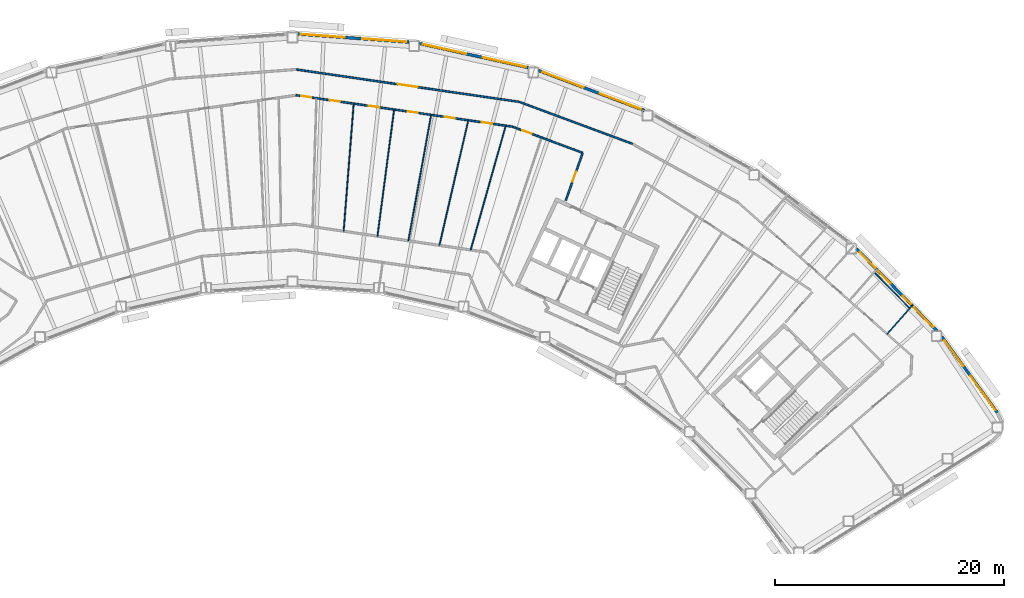
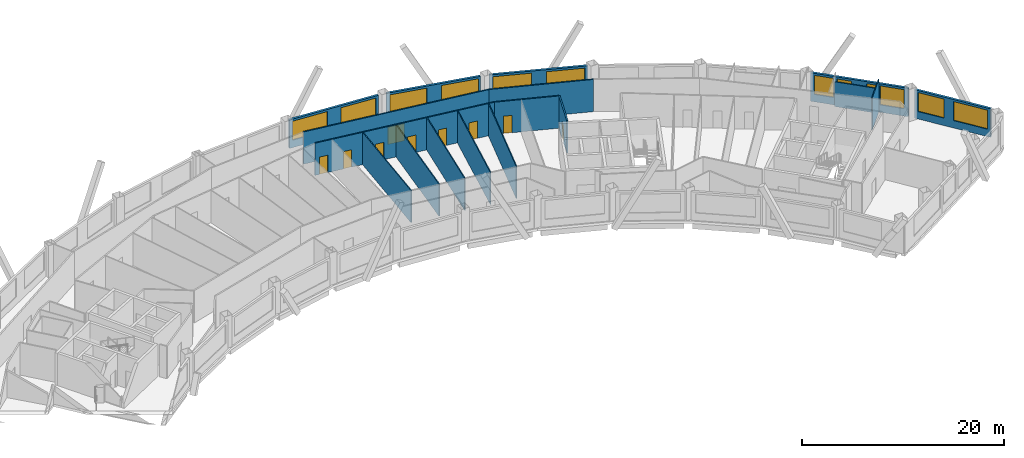
# One storey, part 11 of 14: 17 walls, 12 windows, 9 doors, 21 openings.
"""IFC4 building model written with IfcOpenShell, lengths in metres."""

from ifc_helpers import new_model, si_unit, direction, frame, frame_2d, origin, place, context, subcontext, project, spatial, rectangle, extrude, material, layer, layer_set, type_object, element, fill, save


model = new_model("IFC4")

# Units and contexts
model_context = context("Model", 3, precision=1e-05, world=origin(), true_north=direction((0.0, 1.0)))
body_context = subcontext(model_context, "Body", "Model", "MODEL_VIEW")
ifc_project = project(units=[si_unit("LENGTHUNIT", "METRE"), si_unit("AREAUNIT", "SQUARE_METRE"), si_unit("VOLUMEUNIT", "CUBIC_METRE"), si_unit("PLANEANGLEUNIT", "RADIAN"), si_unit("MASSUNIT", "GRAM", prefix="KILO")], contexts=[model_context])

# Site, building, storey
site_placement = place(None, origin())
site = spatial("IfcSite", under=ifc_project, at=site_placement, CompositionType="ELEMENT")
building_placement = place(site_placement, origin())
building = spatial("IfcBuilding", under=site, at=building_placement, Name="Tuul Gate Civic Tower", CompositionType="ELEMENT")
storey_placement = place(building_placement, frame((0.0, 0.0, 217.89990234375)))
storey = spatial("IfcBuildingStorey", under=building, at=storey_placement, Name="Level 49", CompositionType="ELEMENT", Elevation=217.89990234375)

# Wall
ifc_material_1 = material(Name="Gypsum board partition")
ifc_layer_1 = layer(ifc_material_1, 0.14990234375)
ifc_layer_set_1 = layer_set([ifc_layer_1], Name="Gypsum board partition")
wall_type_1 = type_object("IfcWallType", Name="Corridor wall P150", PredefinedType="PARTITIONING", material=ifc_layer_set_1)
wall_1_placement = place(storey_placement, frame((25.821044921875, 12.917724609375, 0.0), z_axis=(0.0, 0.0, 1.0), x_axis=(0.937348896715, -0.348392086345, 0.0)))
element("IfcWall", 1, at=wall_1_placement, inside=storey, type_object=wall_type_1, Name="p009", PredefinedType="PARTITIONING", context=body_context, shape_type="SweptSolid", body=[
    extrude(rectangle(XDim=10.526123046875, YDim=0.14990234375, at=frame_2d((5.26318359375, 0.0))), origin(), (0.0, 0.0, 1.0), 3.900146484375),
])

# Wall, opening, door
wall_2_placement = place(storey_placement, frame((6.242919921875, 15.760986328125, 0.0), z_axis=(0.0, 0.0, 1.0), x_axis=(0.989618566512, -0.143718797706, 0.0)))
wall_2 = element("IfcWall", 2, at=wall_2_placement, inside=storey, type_object=wall_type_1, Name="p010", PredefinedType="PARTITIONING", context=body_context, shape_type="SweptSolid", body=[
    extrude(rectangle(XDim=19.783447265625, YDim=0.14990234375, at=frame_2d((9.8916015625, 0.0))), origin(), (0.0, 0.0, 1.0), 3.900146484375),
])
opening_1_placement = place(wall_2_placement, frame((8.99169921875, 0.0, 0.0)))
opening_1 = element("IfcOpeningElement", 3, at=opening_1_placement, cuts=wall_2, Name="Opening R-D03", PredefinedType="OPENING", context=body_context, shape_type="SweptSolid", body=[
    extrude(rectangle(XDim=1.800048828125, YDim=2.10009765625, at=frame_2d((0.89990234375, 1.050048828125))), frame((0.0, 0.0849609375, 0.0), z_axis=(0.0, -1.0, 0.0), x_axis=(1.0, 0.0, 0.0)), (0.0, 0.0, 1.0), 0.169921875),
])
ifc_material_2 = material(Name="Timber door leaf, double", Category="wood")
door_type_1 = type_object("IfcDoorType", Name="Door D18", OperationType="DOUBLE_DOOR_SINGLE_SWING", PredefinedType="DOOR", material=ifc_material_2)
door_1_placement = place(opening_1_placement, origin())
door_1 = element("IfcDoor", 4, at=door_1_placement, inside=storey, type_object=door_type_1, Name="Door R-D03", OperationType="DOUBLE_DOOR_SINGLE_SWING", OverallHeight=2.10009765625, OverallWidth=1.800048828125, PredefinedType="DOOR", context=body_context, shape_type="SweptSolid", body=[
    extrude(rectangle(XDim=1.800048828125, YDim=2.10009765625, at=frame_2d((0.89990234375, 1.050048828125))), frame((0.0, 0.02490234375, 0.0), z_axis=(0.0, -1.0, 0.0), x_axis=(1.0, 0.0, 0.0)), (0.0, 0.0, 1.0), 0.050048828125),
])
fill(opening_1, door_1)

wall_3_placement = place(storey_placement, frame((25.187255859375, 10.7529296875, 0.0), z_axis=(0.0, 0.0, 1.0), x_axis=(0.937347352452, -0.348396241157, 0.0)))
wall_3 = element("IfcWall", 5, at=wall_3_placement, inside=storey, type_object=wall_type_1, Name="p061", PredefinedType="PARTITIONING", context=body_context, shape_type="SweptSolid", body=[
    extrude(rectangle(XDim=6.547119140625, YDim=0.14990234375, at=frame_2d((3.2734375, 0.0))), origin(), (0.0, 0.0, 1.0), 3.900146484375),
])
opening_2_placement = place(wall_3_placement, frame((0.9091796875, 0.0, 0.0)))
opening_2 = element("IfcOpeningElement", 6, at=opening_2_placement, cuts=wall_3, Name="Opening R-D18", PredefinedType="OPENING", context=body_context, shape_type="SweptSolid", body=[
    extrude(rectangle(XDim=0.89990234375, YDim=2.10009765625, at=frame_2d((0.449951171875, 1.050048828125))), frame((0.0, 0.0849609375, 0.0), z_axis=(0.0, -1.0, 0.0), x_axis=(1.0, 0.0, 0.0)), (0.0, 0.0, 1.0), 0.169921875),
])
ifc_material_3 = material(Name="Timber door leaf", Category="wood")
door_type_2 = type_object("IfcDoorType", Name="Door D09", OperationType="NOTDEFINED", PredefinedType="DOOR", material=ifc_material_3)
door_2_placement = place(opening_2_placement, frame((0.89990234375, 0.0, 0.0), z_axis=(0.0, 0.0, 1.0), x_axis=(-1.0, 0.0, 0.0)))
door_2 = element("IfcDoor", 7, at=door_2_placement, inside=storey, type_object=door_type_2, Name="Door R-D18", OperationType="SINGLE_SWING_LEFT", OverallHeight=2.10009765625, OverallWidth=0.89990234375, PredefinedType="DOOR", context=body_context, shape_type="SweptSolid", body=[
    extrude(rectangle(XDim=0.89990234375, YDim=2.10009765625, at=frame_2d((0.449951171875, 1.050048828125))), frame((0.0, 0.02490234375, 0.0), z_axis=(0.0, -1.0, 0.0), x_axis=(1.0, 0.0, 0.0)), (0.0, 0.0, 1.0), 0.050048828125),
])
fill(opening_2, door_2)

wall_4_placement = place(storey_placement, frame((29.856201171875, 4.308349609375, 0.0), z_axis=(0.0, 0.0, 1.0), x_axis=(0.336804466951, 0.941574612573, 0.0)))
wall_4 = element("IfcWall", 8, at=wall_4_placement, inside=storey, type_object=wall_type_1, Name="p062", PredefinedType="PARTITIONING", context=body_context, shape_type="SweptSolid", body=[
    extrude(rectangle(XDim=4.394287109375, YDim=0.14990234375, at=frame_2d((2.197265625, 0.0))), origin(), (0.0, 0.0, 1.0), 3.900146484375),
])
opening_3_placement = place(wall_4_placement, frame((1.747314453125, 0.0, 0.0)))
opening_3 = element("IfcOpeningElement", 9, at=opening_3_placement, cuts=wall_4, Name="Opening R-D17", PredefinedType="OPENING", context=body_context, shape_type="SweptSolid", body=[
    extrude(rectangle(XDim=0.89990234375, YDim=2.10009765625, at=frame_2d((0.449951171875, 1.050048828125))), frame((0.0, 0.0849609375, 0.0), z_axis=(0.0, -1.0, 0.0), x_axis=(1.0, 0.0, 0.0)), (0.0, 0.0, 1.0), 0.169921875),
])
door_3_placement = place(opening_3_placement, origin())
door_3 = element("IfcDoor", 10, at=door_3_placement, inside=storey, type_object=door_type_2, Name="Door R-D17", OperationType="SINGLE_SWING_RIGHT", OverallHeight=2.10009765625, OverallWidth=0.89990234375, PredefinedType="DOOR", context=body_context, shape_type="SweptSolid", body=[
    extrude(rectangle(XDim=0.89990234375, YDim=2.10009765625, at=frame_2d((0.449951171875, 1.050048828125))), frame((0.0, 0.02490234375, 0.0), z_axis=(0.0, -1.0, 0.0), x_axis=(1.0, 0.0, 0.0)), (0.0, 0.0, 1.0), 0.050048828125),
])
fill(opening_3, door_3)

# Wall, openings, doors
wall_5_placement = place(storey_placement, frame((6.25, 13.50439453125, 0.0), z_axis=(0.0, 0.0, 1.0), x_axis=(0.989614183691, -0.143748973694, 0.0)))
wall_5 = element("IfcWall", 11, at=wall_5_placement, inside=storey, type_object=wall_type_1, Name="p065", PredefinedType="PARTITIONING", context=body_context, shape_type="SweptSolid", body=[
    extrude(rectangle(XDim=19.130615234375, YDim=0.14990234375, at=frame_2d((9.5654296875, 0.0))), origin(), (0.0, 0.0, 1.0), 3.900146484375),
])
opening_4_placement = place(wall_5_placement, frame((16.439697265625, 0.0, 0.0)))
opening_4 = element("IfcOpeningElement", 12, at=opening_4_placement, cuts=wall_5, Name="Opening R-D19", PredefinedType="OPENING", context=body_context, shape_type="SweptSolid", body=[
    extrude(rectangle(XDim=0.89990234375, YDim=2.10009765625, at=frame_2d((0.449951171875, 1.050048828125))), frame((0.0, 0.0849609375, 0.0), z_axis=(0.0, -1.0, 0.0), x_axis=(1.0, 0.0, 0.0)), (0.0, 0.0, 1.0), 0.169921875),
])
opening_5_placement = place(wall_5_placement, frame((13.142822265625, 0.0, 0.0)))
opening_5 = element("IfcOpeningElement", 13, at=opening_5_placement, cuts=wall_5, Name="Opening R-D20", PredefinedType="OPENING", context=body_context, shape_type="SweptSolid", body=[
    extrude(rectangle(XDim=0.89990234375, YDim=2.10009765625, at=frame_2d((0.449951171875, 1.050048828125))), frame((0.0, 0.0849609375, 0.0), z_axis=(0.0, -1.0, 0.0), x_axis=(1.0, 0.0, 0.0)), (0.0, 0.0, 1.0), 0.169921875),
])
opening_6_placement = place(wall_5_placement, frame((9.864501953125, 0.0, 0.0)))
opening_6 = element("IfcOpeningElement", 14, at=opening_6_placement, cuts=wall_5, Name="Opening R-D21", PredefinedType="OPENING", context=body_context, shape_type="SweptSolid", body=[
    extrude(rectangle(XDim=0.89990234375, YDim=2.10009765625, at=frame_2d((0.449951171875, 1.050048828125))), frame((0.0, 0.0849609375, 0.0), z_axis=(0.0, -1.0, 0.0), x_axis=(1.0, 0.0, 0.0)), (0.0, 0.0, 1.0), 0.169921875),
])
opening_7_placement = place(wall_5_placement, frame((6.4404296875, 0.0, 0.0)))
opening_7 = element("IfcOpeningElement", 15, at=opening_7_placement, cuts=wall_5, Name="Opening R-D22", PredefinedType="OPENING", context=body_context, shape_type="SweptSolid", body=[
    extrude(rectangle(XDim=0.89990234375, YDim=2.10009765625, at=frame_2d((0.449951171875, 1.050048828125))), frame((0.0, 0.0849609375, 0.0), z_axis=(0.0, -1.0, 0.0), x_axis=(1.0, 0.0, 0.0)), (0.0, 0.0, 1.0), 0.169921875),
])
opening_8_placement = place(wall_5_placement, frame((3.003173828125, 0.0, 0.0)))
opening_8 = element("IfcOpeningElement", 16, at=opening_8_placement, cuts=wall_5, Name="Opening R-D23", PredefinedType="OPENING", context=body_context, shape_type="SweptSolid", body=[
    extrude(rectangle(XDim=0.89990234375, YDim=2.10009765625, at=frame_2d((0.449951171875, 1.050048828125))), frame((0.0, 0.0849609375, 0.0), z_axis=(0.0, -1.0, 0.0), x_axis=(1.0, 0.0, 0.0)), (0.0, 0.0, 1.0), 0.169921875),
])
opening_9_placement = place(wall_5_placement, frame((0.451904296875, 0.0, 0.0)))
opening_9 = element("IfcOpeningElement", 17, at=opening_9_placement, cuts=wall_5, Name="Opening R-D24", PredefinedType="OPENING", context=body_context, shape_type="SweptSolid", body=[
    extrude(rectangle(XDim=0.89990234375, YDim=2.10009765625, at=frame_2d((0.449951171875, 1.050048828125))), frame((0.0, 0.0849609375, 0.0), z_axis=(0.0, -1.0, 0.0), x_axis=(1.0, 0.0, 0.0)), (0.0, 0.0, 1.0), 0.169921875),
])
door_4_placement = place(opening_4_placement, frame((0.89990234375, 0.0, 0.0), z_axis=(0.0, 0.0, 1.0), x_axis=(-1.0, 0.0, 0.0)))
door_4 = element("IfcDoor", 18, at=door_4_placement, inside=storey, type_object=door_type_2, Name="Door R-D19", OperationType="SINGLE_SWING_LEFT", OverallHeight=2.10009765625, OverallWidth=0.89990234375, PredefinedType="DOOR", context=body_context, shape_type="SweptSolid", body=[
    extrude(rectangle(XDim=0.89990234375, YDim=2.10009765625, at=frame_2d((0.449951171875, 1.050048828125))), frame((0.0, 0.02490234375, 0.0), z_axis=(0.0, -1.0, 0.0), x_axis=(1.0, 0.0, 0.0)), (0.0, 0.0, 1.0), 0.050048828125),
])
fill(opening_4, door_4)
door_5_placement = place(opening_5_placement, frame((0.89990234375, 0.0, 0.0), z_axis=(0.0, 0.0, 1.0), x_axis=(-1.0, 0.0, 0.0)))
door_5 = element("IfcDoor", 19, at=door_5_placement, inside=storey, type_object=door_type_2, Name="Door R-D20", OperationType="SINGLE_SWING_LEFT", OverallHeight=2.10009765625, OverallWidth=0.89990234375, PredefinedType="DOOR", context=body_context, shape_type="SweptSolid", body=[
    extrude(rectangle(XDim=0.89990234375, YDim=2.10009765625, at=frame_2d((0.449951171875, 1.050048828125))), frame((0.0, 0.02490234375, 0.0), z_axis=(0.0, -1.0, 0.0), x_axis=(1.0, 0.0, 0.0)), (0.0, 0.0, 1.0), 0.050048828125),
])
fill(opening_5, door_5)
door_6_placement = place(opening_6_placement, frame((0.89990234375, 0.0, 0.0), z_axis=(0.0, 0.0, 1.0), x_axis=(-1.0, 0.0, 0.0)))
door_6 = element("IfcDoor", 20, at=door_6_placement, inside=storey, type_object=door_type_2, Name="Door R-D21", OperationType="SINGLE_SWING_LEFT", OverallHeight=2.10009765625, OverallWidth=0.89990234375, PredefinedType="DOOR", context=body_context, shape_type="SweptSolid", body=[
    extrude(rectangle(XDim=0.89990234375, YDim=2.10009765625, at=frame_2d((0.449951171875, 1.050048828125))), frame((0.0, 0.02490234375, 0.0), z_axis=(0.0, -1.0, 0.0), x_axis=(1.0, 0.0, 0.0)), (0.0, 0.0, 1.0), 0.050048828125),
])
fill(opening_6, door_6)
door_7_placement = place(opening_7_placement, frame((0.89990234375, 0.0, 0.0), z_axis=(0.0, 0.0, 1.0), x_axis=(-1.0, 0.0, 0.0)))
door_7 = element("IfcDoor", 21, at=door_7_placement, inside=storey, type_object=door_type_2, Name="Door R-D22", OperationType="SINGLE_SWING_LEFT", OverallHeight=2.10009765625, OverallWidth=0.89990234375, PredefinedType="DOOR", context=body_context, shape_type="SweptSolid", body=[
    extrude(rectangle(XDim=0.89990234375, YDim=2.10009765625, at=frame_2d((0.449951171875, 1.050048828125))), frame((0.0, 0.02490234375, 0.0), z_axis=(0.0, -1.0, 0.0), x_axis=(1.0, 0.0, 0.0)), (0.0, 0.0, 1.0), 0.050048828125),
])
fill(opening_7, door_7)
door_8_placement = place(opening_8_placement, frame((0.89990234375, 0.0, 0.0), z_axis=(0.0, 0.0, 1.0), x_axis=(-1.0, 0.0, 0.0)))
door_8 = element("IfcDoor", 22, at=door_8_placement, inside=storey, type_object=door_type_2, Name="Door R-D23", OperationType="SINGLE_SWING_LEFT", OverallHeight=2.10009765625, OverallWidth=0.89990234375, PredefinedType="DOOR", context=body_context, shape_type="SweptSolid", body=[
    extrude(rectangle(XDim=0.89990234375, YDim=2.10009765625, at=frame_2d((0.449951171875, 1.050048828125))), frame((0.0, 0.02490234375, 0.0), z_axis=(0.0, -1.0, 0.0), x_axis=(1.0, 0.0, 0.0)), (0.0, 0.0, 1.0), 0.050048828125),
])
fill(opening_8, door_8)
door_9_placement = place(opening_9_placement, frame((0.89990234375, 0.0, 0.0), z_axis=(0.0, 0.0, 1.0), x_axis=(-1.0, 0.0, 0.0)))
door_9 = element("IfcDoor", 23, at=door_9_placement, inside=storey, type_object=door_type_2, Name="Door R-D24", OperationType="SINGLE_SWING_LEFT", OverallHeight=2.10009765625, OverallWidth=0.89990234375, PredefinedType="DOOR", context=body_context, shape_type="SweptSolid", body=[
    extrude(rectangle(XDim=0.89990234375, YDim=2.10009765625, at=frame_2d((0.449951171875, 1.050048828125))), frame((0.0, 0.02490234375, 0.0), z_axis=(0.0, -1.0, 0.0), x_axis=(1.0, 0.0, 0.0)), (0.0, 0.0, 1.0), 0.050048828125),
])
fill(opening_9, door_9)

# Wall, openings, windows
ifc_material_4 = material(Name="Precast concrete C40/50", Category="concrete")
ifc_layer_2 = layer(ifc_material_4, 0.25)
ifc_layer_set_2 = layer_set([ifc_layer_2], Name="Precast concrete C40/50")
wall_type_2 = type_object("IfcWallType", Name="External wall", PredefinedType="STANDARD", material=ifc_layer_set_2)
wall_6_placement = place(storey_placement, frame((67.629150390625, -14.27978515625, 0.0), z_axis=(0.0, 0.0, 1.0), x_axis=(-0.589817033075, 0.807536914014, 0.0)))
wall_6 = element("IfcWall", 24, at=wall_6_placement, inside=storey, type_object=wall_type_2, Name="External wall", PredefinedType="STANDARD", context=body_context, shape_type="SweptSolid", body=[
    extrude(rectangle(XDim=8.251953125, YDim=0.25, at=frame_2d((4.1259765625, 0.0))), origin(), (0.0, 0.0, 1.0), 3.4501953125),
])
opening_10_placement = place(wall_6_placement, frame((0.30078125, 0.0, 0.89990234375)))
opening_10 = element("IfcOpeningElement", 25, at=opening_10_placement, cuts=wall_6, Name="Opening W21", PredefinedType="OPENING", context=body_context, shape_type="SweptSolid", body=[
    extrude(rectangle(XDim=3.699951171875, YDim=2.300048828125, at=frame_2d((1.85009765625, 1.14990234375))), frame((0.0, 0.135009765625, 0.0), z_axis=(0.0, -1.0, 0.0), x_axis=(1.0, 0.0, 0.0)), (0.0, 0.0, 1.0), 0.27001953125),
])
opening_11_placement = place(wall_6_placement, frame((5.052001953125, 0.0, 0.89990234375)))
opening_11 = element("IfcOpeningElement", 26, at=opening_11_placement, cuts=wall_6, Name="Opening W23", PredefinedType="OPENING", context=body_context, shape_type="SweptSolid", body=[
    extrude(rectangle(XDim=2.800048828125, YDim=2.300048828125, at=frame_2d((1.39990234375, 1.14990234375))), frame((0.0, 0.135009765625, 0.0), z_axis=(0.0, -1.0, 0.0), x_axis=(1.0, 0.0, 0.0)), (0.0, 0.0, 1.0), 0.27001953125),
])
ifc_material_5 = material(Name="Glass", Category="glass")
window_type_1 = type_object("IfcWindowType", Name="Window W21 3700 x 2300", PartitioningType="SINGLE_PANEL", PredefinedType="WINDOW", material=ifc_material_5)
window_1_placement = place(opening_10_placement, origin())
window_1 = element("IfcWindow", 27, at=window_1_placement, inside=storey, type_object=window_type_1, Name="Window", OverallHeight=2.300048828125, OverallWidth=3.699951171875, PartitioningType="SINGLE_PANEL", PredefinedType="WINDOW", context=body_context, shape_type="SweptSolid", body=[
    extrude(rectangle(XDim=3.699951171875, YDim=2.300048828125, at=frame_2d((1.85009765625, 1.14990234375))), frame((0.0, 0.030029296875, 0.0), z_axis=(0.0, -1.0, 0.0), x_axis=(1.0, 0.0, 0.0)), (0.0, 0.0, 1.0), 0.06005859375),
])
fill(opening_10, window_1)
ifc_material_6 = material(Name="Glass", Category="glass")
window_type_2 = type_object("IfcWindowType", Name="Window W23 2800 x 2300", PartitioningType="SINGLE_PANEL", PredefinedType="WINDOW", material=ifc_material_6)
window_2_placement = place(opening_11_placement, origin())
window_2 = element("IfcWindow", 28, at=window_2_placement, inside=storey, type_object=window_type_2, Name="Window", OverallHeight=2.300048828125, OverallWidth=2.800048828125, PartitioningType="SINGLE_PANEL", PredefinedType="WINDOW", context=body_context, shape_type="SweptSolid", body=[
    extrude(rectangle(XDim=2.800048828125, YDim=2.300048828125, at=frame_2d((1.39990234375, 1.14990234375))), frame((0.0, 0.030029296875, 0.0), z_axis=(0.0, -1.0, 0.0), x_axis=(1.0, 0.0, 0.0)), (0.0, 0.0, 1.0), 0.06005859375),
])
fill(opening_11, window_2)

wall_7_placement = place(storey_placement, frame((62.3251953125, -7.10009765625, 0.0), z_axis=(0.0, 0.0, 1.0), x_axis=(-0.699993234942, 0.714149473875, 0.0)))
wall_7 = element("IfcWall", 29, at=wall_7_placement, inside=storey, type_object=wall_type_2, Name="External wall", PredefinedType="STANDARD", context=body_context, shape_type="SweptSolid", body=[
    extrude(rectangle(XDim=10.054443359375, YDim=0.25, at=frame_2d((5.02734375, 0.0))), origin(), (0.0, 0.0, 1.0), 3.4501953125),
])
opening_12_placement = place(wall_7_placement, frame((0.434814453125, 0.0, 0.89990234375)))
opening_12 = element("IfcOpeningElement", 30, at=opening_12_placement, cuts=wall_7, Name="Opening W56", PredefinedType="OPENING", context=body_context, shape_type="SweptSolid", body=[
    extrude(rectangle(XDim=2.449951171875, YDim=2.300048828125, at=frame_2d((1.22509765625, 1.14990234375))), frame((0.0, 0.135009765625, 0.0), z_axis=(0.0, -1.0, 0.0), x_axis=(1.0, 0.0, 0.0)), (0.0, 0.0, 1.0), 0.27001953125),
])
opening_13_placement = place(wall_7_placement, frame((3.259765625, 0.0, 0.89990234375)))
opening_13 = element("IfcOpeningElement", 31, at=opening_13_placement, cuts=wall_7, Name="Opening W57", PredefinedType="OPENING", context=body_context, shape_type="SweptSolid", body=[
    extrude(rectangle(XDim=1.0, YDim=2.300048828125, at=frame_2d((0.5, 1.14990234375))), frame((0.0, 0.135009765625, 0.0), z_axis=(0.0, -1.0, 0.0), x_axis=(1.0, 0.0, 0.0)), (0.0, 0.0, 1.0), 0.27001953125),
])
opening_14_placement = place(wall_7_placement, frame((5.81103515625, 0.0, 0.89990234375)))
opening_14 = element("IfcOpeningElement", 32, at=opening_14_placement, cuts=wall_7, Name="Opening W58", PredefinedType="OPENING", context=body_context, shape_type="SweptSolid", body=[
    extrude(rectangle(XDim=1.5, YDim=2.300048828125, at=frame_2d((0.75, 1.14990234375))), frame((0.0, 0.135009765625, 0.0), z_axis=(0.0, -1.0, 0.0), x_axis=(1.0, 0.0, 0.0)), (0.0, 0.0, 1.0), 0.27001953125),
])
opening_15_placement = place(wall_7_placement, frame((7.68603515625, 0.0, 0.89990234375)))
opening_15 = element("IfcOpeningElement", 33, at=opening_15_placement, cuts=wall_7, Name="Opening W46", PredefinedType="OPENING", context=body_context, shape_type="SweptSolid", body=[
    extrude(rectangle(XDim=1.949951171875, YDim=2.300048828125, at=frame_2d((0.97509765625, 1.14990234375))), frame((0.0, 0.135009765625, 0.0), z_axis=(0.0, -1.0, 0.0), x_axis=(1.0, 0.0, 0.0)), (0.0, 0.0, 1.0), 0.27001953125),
])
ifc_material_7 = material(Name="Glass", Category="glass")
window_type_3 = type_object("IfcWindowType", Name="Window 1000 x 2300", PartitioningType="SINGLE_PANEL", PredefinedType="WINDOW", material=ifc_material_7)
window_3_placement = place(opening_13_placement, origin())
window_3 = element("IfcWindow", 34, at=window_3_placement, inside=storey, type_object=window_type_3, Name="Window", OverallHeight=2.300048828125, OverallWidth=1.0, PartitioningType="SINGLE_PANEL", PredefinedType="WINDOW", context=body_context, shape_type="SweptSolid", body=[
    extrude(rectangle(XDim=1.0, YDim=2.300048828125, at=frame_2d((0.5, 1.14990234375))), frame((0.0, 0.030029296875, 0.0), z_axis=(0.0, -1.0, 0.0), x_axis=(1.0, 0.0, 0.0)), (0.0, 0.0, 1.0), 0.06005859375),
])
fill(opening_13, window_3)
ifc_material_8 = material(Name="Glass", Category="glass")
window_type_4 = type_object("IfcWindowType", Name="Window 1500 x 2300", PartitioningType="SINGLE_PANEL", PredefinedType="WINDOW", material=ifc_material_8)
window_4_placement = place(opening_14_placement, origin())
window_4 = element("IfcWindow", 35, at=window_4_placement, inside=storey, type_object=window_type_4, Name="Window", OverallHeight=2.300048828125, OverallWidth=1.5, PartitioningType="SINGLE_PANEL", PredefinedType="WINDOW", context=body_context, shape_type="SweptSolid", body=[
    extrude(rectangle(XDim=1.5, YDim=2.300048828125, at=frame_2d((0.75, 1.14990234375))), frame((0.0, 0.030029296875, 0.0), z_axis=(0.0, -1.0, 0.0), x_axis=(1.0, 0.0, 0.0)), (0.0, 0.0, 1.0), 0.06005859375),
])
fill(opening_14, window_4)
ifc_material_9 = material(Name="Glass", Category="glass")
window_type_5 = type_object("IfcWindowType", Name="Window 1950 x 2300", PartitioningType="SINGLE_PANEL", PredefinedType="WINDOW", material=ifc_material_9)
window_5_placement = place(opening_15_placement, origin())
window_5 = element("IfcWindow", 36, at=window_5_placement, inside=storey, type_object=window_type_5, Name="Window", OverallHeight=2.300048828125, OverallWidth=1.949951171875, PartitioningType="SINGLE_PANEL", PredefinedType="WINDOW", context=body_context, shape_type="SweptSolid", body=[
    extrude(rectangle(XDim=1.949951171875, YDim=2.300048828125, at=frame_2d((0.97509765625, 1.14990234375))), frame((0.0, 0.030029296875, 0.0), z_axis=(0.0, -1.0, 0.0), x_axis=(1.0, 0.0, 0.0)), (0.0, 0.0, 1.0), 0.06005859375),
])
fill(opening_15, window_5)
ifc_material_10 = material(Name="Glass", Category="glass")
window_type_6 = type_object("IfcWindowType", Name="Window 2450 x 2300", PartitioningType="SINGLE_PANEL", PredefinedType="WINDOW", material=ifc_material_10)
window_6_placement = place(opening_12_placement, origin())
window_6 = element("IfcWindow", 37, at=window_6_placement, inside=storey, type_object=window_type_6, Name="Window", OverallHeight=2.300048828125, OverallWidth=2.449951171875, PartitioningType="SINGLE_PANEL", PredefinedType="WINDOW", context=body_context, shape_type="SweptSolid", body=[
    extrude(rectangle(XDim=2.449951171875, YDim=2.300048828125, at=frame_2d((1.22509765625, 1.14990234375))), frame((0.0, 0.030029296875, 0.0), z_axis=(0.0, -1.0, 0.0), x_axis=(1.0, 0.0, 0.0)), (0.0, 0.0, 1.0), 0.06005859375),
])
fill(opening_12, window_6)

wall_8_placement = place(storey_placement, frame((36.733642578125, 12.1689453125, 0.0), z_axis=(0.0, 0.0, 1.0), x_axis=(-0.935369774389, 0.353671295358, 0.0)))
wall_8 = element("IfcWall", 38, at=wall_8_placement, inside=storey, type_object=wall_type_2, Name="External wall", PredefinedType="STANDARD", context=body_context, shape_type="SweptSolid", body=[
    extrude(rectangle(XDim=9.907958984375, YDim=0.25, at=frame_2d((4.9541015625, 0.0))), origin(), (0.0, 0.0, 1.0), 3.4501953125),
])
opening_16_placement = place(wall_8_placement, frame((0.31689453125, 0.0, 0.89990234375)))
opening_16 = element("IfcOpeningElement", 39, at=opening_16_placement, cuts=wall_8, Name="Opening W22", PredefinedType="OPENING", context=body_context, shape_type="SweptSolid", body=[
    extrude(rectangle(XDim=3.85009765625, YDim=2.300048828125, at=frame_2d((1.925048828125, 1.14990234375))), frame((0.0, 0.135009765625, 0.0), z_axis=(0.0, -1.0, 0.0), x_axis=(1.0, 0.0, 0.0)), (0.0, 0.0, 1.0), 0.27001953125),
])
opening_17_placement = place(wall_8_placement, frame((5.68798828125, 0.0, 0.89990234375)))
opening_17 = element("IfcOpeningElement", 40, at=opening_17_placement, cuts=wall_8, Name="Opening W22", PredefinedType="OPENING", context=body_context, shape_type="SweptSolid", body=[
    extrude(rectangle(XDim=3.85009765625, YDim=2.300048828125, at=frame_2d((1.925048828125, 1.14990234375))), frame((0.0, 0.135009765625, 0.0), z_axis=(0.0, -1.0, 0.0), x_axis=(1.0, 0.0, 0.0)), (0.0, 0.0, 1.0), 0.27001953125),
])
ifc_material_11 = material(Name="Glass", Category="glass")
window_type_7 = type_object("IfcWindowType", Name="Window W22 3850 x 2300", PartitioningType="SINGLE_PANEL", PredefinedType="WINDOW", material=ifc_material_11)
window_7_placement = place(opening_16_placement, origin())
window_7 = element("IfcWindow", 41, at=window_7_placement, inside=storey, type_object=window_type_7, Name="Window", OverallHeight=2.300048828125, OverallWidth=3.85009765625, PartitioningType="SINGLE_PANEL", PredefinedType="WINDOW", context=body_context, shape_type="SweptSolid", body=[
    extrude(rectangle(XDim=3.85009765625, YDim=2.300048828125, at=frame_2d((1.925048828125, 1.14990234375))), frame((0.0, 0.030029296875, 0.0), z_axis=(0.0, -1.0, 0.0), x_axis=(1.0, 0.0, 0.0)), (0.0, 0.0, 1.0), 0.06005859375),
])
fill(opening_16, window_7)
window_8_placement = place(opening_17_placement, origin())
window_8 = element("IfcWindow", 42, at=window_8_placement, inside=storey, type_object=window_type_7, Name="Window", OverallHeight=2.300048828125, OverallWidth=3.85009765625, PartitioningType="SINGLE_PANEL", PredefinedType="WINDOW", context=body_context, shape_type="SweptSolid", body=[
    extrude(rectangle(XDim=3.85009765625, YDim=2.300048828125, at=frame_2d((1.925048828125, 1.14990234375))), frame((0.0, 0.030029296875, 0.0), z_axis=(0.0, -1.0, 0.0), x_axis=(1.0, 0.0, 0.0)), (0.0, 0.0, 1.0), 0.06005859375),
])
fill(opening_17, window_8)

wall_9_placement = place(storey_placement, frame((26.56591796875, 15.927490234375, 0.0), z_axis=(0.0, 0.0, 1.0), x_axis=(-0.976564786218, 0.215223647211, 0.0)))
wall_9 = element("IfcWall", 43, at=wall_9_placement, inside=storey, type_object=wall_type_2, Name="External wall", PredefinedType="STANDARD", context=body_context, shape_type="SweptSolid", body=[
    extrude(rectangle(XDim=9.75537109375, YDim=0.25, at=frame_2d((4.877685546875, 0.0))), origin(), (0.0, 0.0, 1.0), 3.4501953125),
])
opening_18_placement = place(wall_9_placement, frame((0.1953125, 0.0, 0.89990234375)))
opening_18 = element("IfcOpeningElement", 44, at=opening_18_placement, cuts=wall_9, Name="Opening W22", PredefinedType="OPENING", context=body_context, shape_type="SweptSolid", body=[
    extrude(rectangle(XDim=3.85009765625, YDim=2.300048828125, at=frame_2d((1.925048828125, 1.14990234375))), frame((0.0, 0.135009765625, 0.0), z_axis=(0.0, -1.0, 0.0), x_axis=(1.0, 0.0, 0.0)), (0.0, 0.0, 1.0), 0.27001953125),
])
opening_19_placement = place(wall_9_placement, frame((5.566650390625, 0.0, 0.89990234375)))
opening_19 = element("IfcOpeningElement", 45, at=opening_19_placement, cuts=wall_9, Name="Opening W22", PredefinedType="OPENING", context=body_context, shape_type="SweptSolid", body=[
    extrude(rectangle(XDim=3.85009765625, YDim=2.300048828125, at=frame_2d((1.925048828125, 1.14990234375))), frame((0.0, 0.135009765625, 0.0), z_axis=(0.0, -1.0, 0.0), x_axis=(1.0, 0.0, 0.0)), (0.0, 0.0, 1.0), 0.27001953125),
])
window_9_placement = place(opening_18_placement, origin())
window_9 = element("IfcWindow", 46, at=window_9_placement, inside=storey, type_object=window_type_7, Name="Window", OverallHeight=2.300048828125, OverallWidth=3.85009765625, PartitioningType="SINGLE_PANEL", PredefinedType="WINDOW", context=body_context, shape_type="SweptSolid", body=[
    extrude(rectangle(XDim=3.85009765625, YDim=2.300048828125, at=frame_2d((1.925048828125, 1.14990234375))), frame((0.0, 0.030029296875, 0.0), z_axis=(0.0, -1.0, 0.0), x_axis=(1.0, 0.0, 0.0)), (0.0, 0.0, 1.0), 0.06005859375),
])
fill(opening_18, window_9)
window_10_placement = place(opening_19_placement, origin())
window_10 = element("IfcWindow", 47, at=window_10_placement, inside=storey, type_object=window_type_7, Name="Window", OverallHeight=2.300048828125, OverallWidth=3.85009765625, PartitioningType="SINGLE_PANEL", PredefinedType="WINDOW", context=body_context, shape_type="SweptSolid", body=[
    extrude(rectangle(XDim=3.85009765625, YDim=2.300048828125, at=frame_2d((1.925048828125, 1.14990234375))), frame((0.0, 0.030029296875, 0.0), z_axis=(0.0, -1.0, 0.0), x_axis=(1.0, 0.0, 0.0)), (0.0, 0.0, 1.0), 0.06005859375),
])
fill(opening_19, window_10)

wall_10_placement = place(storey_placement, frame((16.138916015625, 18.152099609375, 0.0), z_axis=(0.0, 0.0, 1.0), x_axis=(-0.997380514853, 0.072333315912, 0.0)))
wall_10 = element("IfcWall", 48, at=wall_10_placement, inside=storey, type_object=wall_type_2, Name="External wall", PredefinedType="STANDARD", context=body_context, shape_type="SweptSolid", body=[
    extrude(rectangle(XDim=9.774658203125, YDim=0.25, at=frame_2d((4.88720703125, 0.0))), origin(), (0.0, 0.0, 1.0), 3.4501953125),
])
opening_20_placement = place(wall_10_placement, frame((0.253173828125, 0.0, 0.89990234375)))
opening_20 = element("IfcOpeningElement", 49, at=opening_20_placement, cuts=wall_10, Name="Opening W22", PredefinedType="OPENING", context=body_context, shape_type="SweptSolid", body=[
    extrude(rectangle(XDim=3.85009765625, YDim=2.300048828125, at=frame_2d((1.925048828125, 1.14990234375))), frame((0.0, 0.135009765625, 0.0), z_axis=(0.0, -1.0, 0.0), x_axis=(1.0, 0.0, 0.0)), (0.0, 0.0, 1.0), 0.27001953125),
])
opening_21_placement = place(wall_10_placement, frame((5.624267578125, 0.0, 0.89990234375)))
opening_21 = element("IfcOpeningElement", 50, at=opening_21_placement, cuts=wall_10, Name="Opening W22", PredefinedType="OPENING", context=body_context, shape_type="SweptSolid", body=[
    extrude(rectangle(XDim=3.85009765625, YDim=2.300048828125, at=frame_2d((1.925048828125, 1.14990234375))), frame((0.0, 0.135009765625, 0.0), z_axis=(0.0, -1.0, 0.0), x_axis=(1.0, 0.0, 0.0)), (0.0, 0.0, 1.0), 0.27001953125),
])
window_11_placement = place(opening_20_placement, origin())
window_11 = element("IfcWindow", 51, at=window_11_placement, inside=storey, type_object=window_type_7, Name="Window", OverallHeight=2.300048828125, OverallWidth=3.85009765625, PartitioningType="SINGLE_PANEL", PredefinedType="WINDOW", context=body_context, shape_type="SweptSolid", body=[
    extrude(rectangle(XDim=3.85009765625, YDim=2.300048828125, at=frame_2d((1.925048828125, 1.14990234375))), frame((0.0, 0.030029296875, 0.0), z_axis=(0.0, -1.0, 0.0), x_axis=(1.0, 0.0, 0.0)), (0.0, 0.0, 1.0), 0.06005859375),
])
fill(opening_20, window_11)
window_12_placement = place(opening_21_placement, origin())
window_12 = element("IfcWindow", 52, at=window_12_placement, inside=storey, type_object=window_type_7, Name="Window", OverallHeight=2.300048828125, OverallWidth=3.85009765625, PartitioningType="SINGLE_PANEL", PredefinedType="WINDOW", context=body_context, shape_type="SweptSolid", body=[
    extrude(rectangle(XDim=3.85009765625, YDim=2.300048828125, at=frame_2d((1.925048828125, 1.14990234375))), frame((0.0, 0.030029296875, 0.0), z_axis=(0.0, -1.0, 0.0), x_axis=(1.0, 0.0, 0.0)), (0.0, 0.0, 1.0), 0.06005859375),
])
fill(opening_21, window_12)

# Walls
ifc_material_12 = material(Name="Gypsum board partition")
ifc_layer_3 = layer(ifc_material_12, 0.10009765625)
ifc_layer_set_3 = layer_set([ifc_layer_3], Name="Gypsum board partition")
wall_type_3 = type_object("IfcWallType", Name="Partition P100", PredefinedType="PARTITIONING", material=ifc_layer_set_3)
wall_11_placement = place(storey_placement, frame((57.97607421875, -7.387939453125, 0.0), z_axis=(0.0, 0.0, 1.0), x_axis=(0.661699438217, 0.74976920013, 0.0)))
element("IfcWall", 53, at=wall_11_placement, inside=storey, type_object=wall_type_3, Name="p001", PredefinedType="PARTITIONING", context=body_context, shape_type="SweptSolid", body=[
    extrude(rectangle(XDim=3.321044921875, YDim=0.10009765625, at=frame_2d((1.66064453125, 0.0))), origin(), (0.0, 0.0, 1.0), 3.900146484375),
])
wall_12_placement = place(storey_placement, frame((21.535888671875, -0.033447265625, 0.0), z_axis=(0.0, 0.0, 1.0), x_axis=(0.271433984852, 0.962457059752, 0.0)))
element("IfcWall", 54, at=wall_12_placement, inside=storey, type_object=wall_type_3, Name="p064", PredefinedType="PARTITIONING", context=body_context, shape_type="SweptSolid", body=[
    extrude(rectangle(XDim=11.296142578125, YDim=0.10009765625, at=frame_2d((5.64794921875, 0.0))), origin(), (0.0, 0.0, 1.0), 3.900146484375),
])
wall_13_placement = place(storey_placement, frame((18.7998046875, 0.369873046875, 0.0), z_axis=(0.0, 0.0, 1.0), x_axis=(0.224938876521, 0.974372876177, 0.0)))
element("IfcWall", 55, at=wall_13_placement, inside=storey, type_object=wall_type_3, Name="p067", PredefinedType="PARTITIONING", context=body_context, shape_type="SweptSolid", body=[
    extrude(rectangle(XDim=11.232421875, YDim=0.10009765625, at=frame_2d((5.6162109375, 0.0))), origin(), (0.0, 0.0, 1.0), 3.900146484375),
])
wall_14_placement = place(storey_placement, frame((16.084716796875, 0.770263671875, 0.0), z_axis=(0.0, 0.0, 1.0), x_axis=(0.177952676441, 0.984039046455, 0.0)))
element("IfcWall", 56, at=wall_14_placement, inside=storey, type_object=wall_type_3, Name="p068", PredefinedType="PARTITIONING", context=body_context, shape_type="SweptSolid", body=[
    extrude(rectangle(XDim=11.195068359375, YDim=0.10009765625, at=frame_2d((5.59765625, 0.0))), origin(), (0.0, 0.0, 1.0), 3.900146484375),
])
wall_15_placement = place(storey_placement, frame((13.37841796875, 1.16943359375, 0.0), z_axis=(0.0, 0.0, 1.0), x_axis=(0.130529056492, 0.991444484281, 0.0)))
element("IfcWall", 57, at=wall_15_placement, inside=storey, type_object=wall_type_3, Name="p069", PredefinedType="PARTITIONING", context=body_context, shape_type="SweptSolid", body=[
    extrude(rectangle(XDim=11.18310546875, YDim=0.10009765625, at=frame_2d((5.591552734375, 0.0))), origin(), (0.0, 0.0, 1.0), 3.900146484375),
])
wall_16_placement = place(storey_placement, frame((10.4208984375, 1.60546875, 0.0), z_axis=(0.0, 0.0, 1.0), x_axis=(0.078451646347, 0.996917919984, 0.0)))
element("IfcWall", 58, at=wall_16_placement, inside=storey, type_object=wall_type_3, Name="p070", PredefinedType="PARTITIONING", context=body_context, shape_type="SweptSolid", body=[
    extrude(rectangle(XDim=11.199951171875, YDim=0.10009765625, at=frame_2d((5.60009765625, 0.0))), origin(), (0.0, 0.0, 1.0), 3.900146484375),
])
ifc_material_13 = material(Name="Gypsum board partition")
ifc_layer_4 = layer(ifc_material_13, 0.10009765625)
ifc_layer_set_4 = layer_set([ifc_layer_4], Name="Gypsum board partition")
wall_type_4 = type_object("IfcWallType", Name="Partition P100 3000 HIGH", PredefinedType="PARTITIONING", material=ifc_layer_set_4)
wall_17_placement = place(storey_placement, frame((56.852783203125, -1.981201171875, 0.0), z_axis=(0.0, 0.0, 1.0), x_axis=(0.699992090457, -0.714150595671, 0.0)))
element("IfcWall", 59, at=wall_17_placement, inside=storey, type_object=wall_type_4, Name="p112", PredefinedType="PARTITIONING", context=body_context, shape_type="SweptSolid", body=[
    extrude(rectangle(XDim=4.431640625, YDim=0.10009765625, at=frame_2d((2.2158203125, 0.0))), origin(), (0.0, 0.0, 1.0), 3.0),
])

save(model, "model.ifc")
